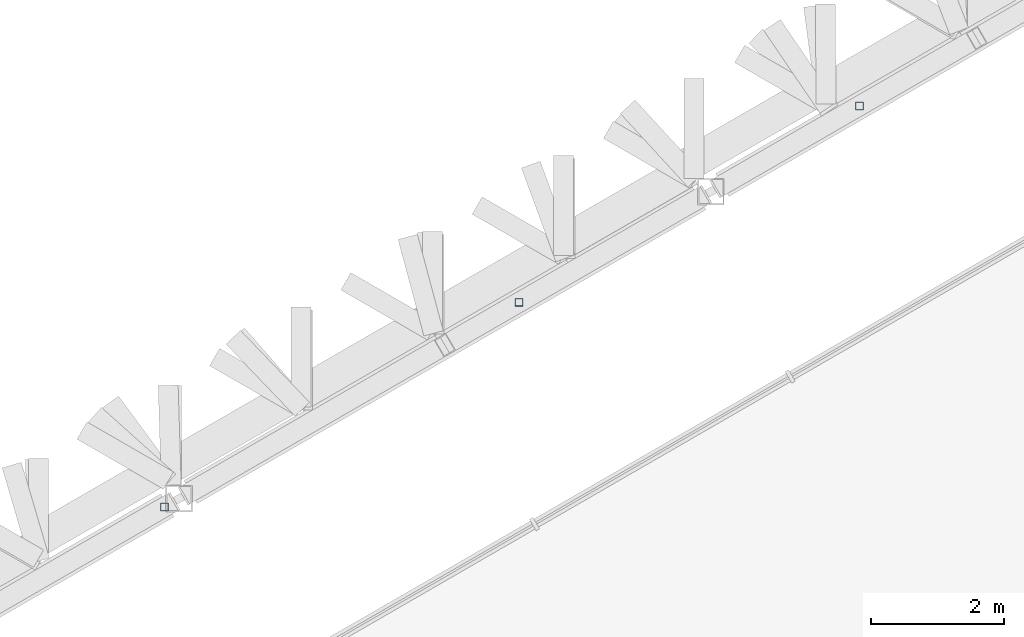
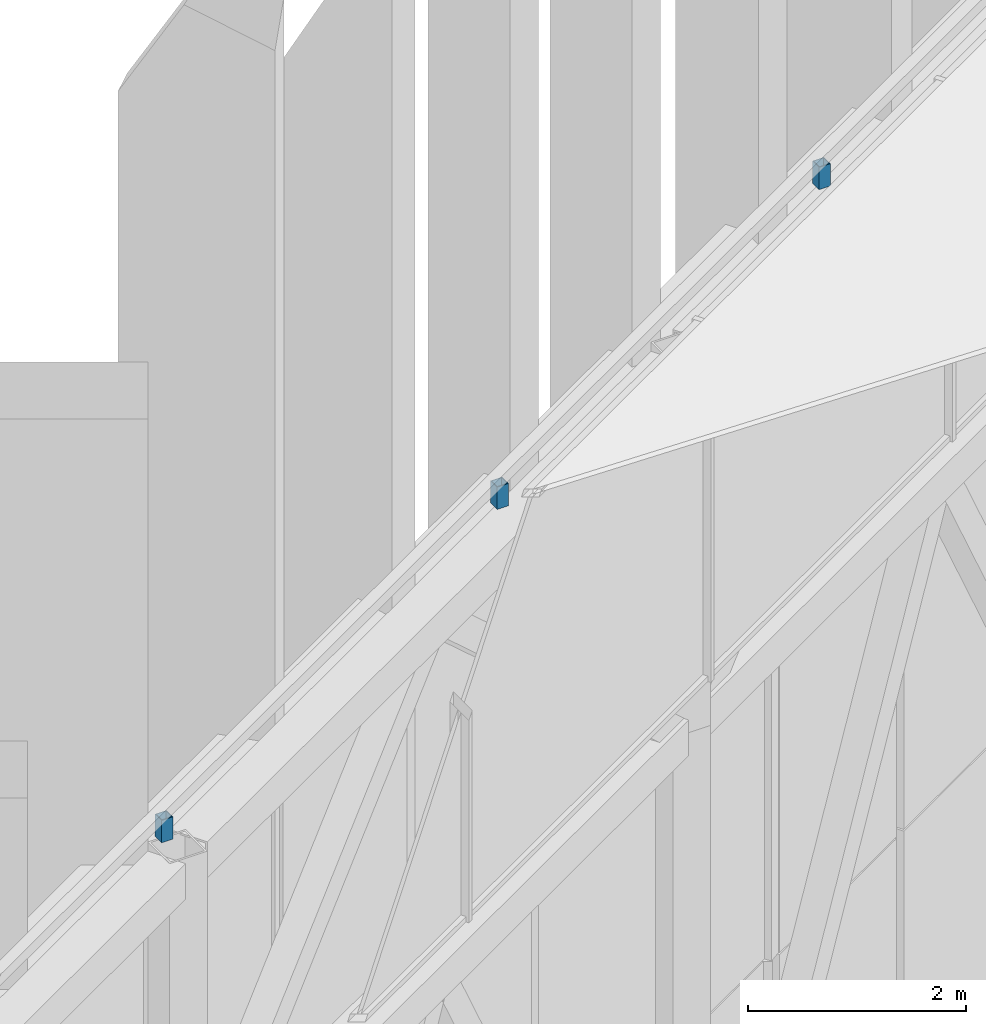
# One storey, part 23 of 45: 3 members.
"""IFC4 building model written with IfcOpenShell, lengths in metres."""

import ifcopenshell
import ifcopenshell.guid

model = None  # the IFC model being written
_history = None  # IfcOwnerHistory: only IFC2X3 demands one
_inside = {}  # id of a spatial element -> (the spatial element, [elements in it])
_under = {}  # id of a project, library or spatial element -> (it, [spatial elements below it])
_declared = {}  # id of a project -> (the project, [libraries it declares])
_typed = {}  # id of a type object -> (the type object, [elements of that type])
_made_of = {}  # id of a material, layer set ... -> (it, [elements and type objects made of it])


def new_model(schema):
    """Start an empty IFC model of exactly this schema.

    Asked for "IFC4X3", IfcOpenShell would pick the latest addendum, in which some entities
    have other attributes; the version numbers below select the first issue.
    IFC2X3 requires an IfcOwnerHistory on every rooted entity: one is made here for all.
    """
    global model, _history
    if schema == "IFC4X3":
        model = ifcopenshell.file(schema_version=(4, 3, 0, 0))
    else:
        model = ifcopenshell.file(schema=schema)
    _inside.clear()
    _under.clear()
    _declared.clear()
    _typed.clear()
    _made_of.clear()
    _history = None
    if model.schema == "IFC2X3":
        org = make("IfcOrganization", Name="unknown")
        user = make(
            "IfcPersonAndOrganization",
            ThePerson=make("IfcPerson", FamilyName="unknown"),
            TheOrganization=org,
        )
        app = make(
            "IfcApplication",
            ApplicationDeveloper=org,
            Version="unknown",
            ApplicationFullName="unknown",
            ApplicationIdentifier="unknown",
        )
        _history = make(
            "IfcOwnerHistory",
            OwningUser=user,
            OwningApplication=app,
            ChangeAction="ADDED",
            CreationDate=0,
        )
    return model


def make(cls, **values):
    """One entity of the class cls with the attributes given. An attribute that is None is left unset."""
    return model.create_entity(
        cls, **{name: value for name, value in values.items() if value is not None}
    )


def rooted(cls, **values):
    """An entity with a GlobalId (a new one), such as an element, a storey or a relation."""
    return make(cls, GlobalId=ifcopenshell.guid.new(), OwnerHistory=_history, **values)


def si_unit(unit_type, name, prefix=None):
    """IfcSIUnit, for example si_unit("LENGTHUNIT", "METRE", prefix="MILLI")."""
    return make("IfcSIUnit", UnitType=unit_type, Prefix=prefix, Name=name)


def assignment(units):
    """IfcUnitAssignment: the units of a project."""
    return None if units is None else make("IfcUnitAssignment", Units=units)


def point(xyz):
    """IfcCartesianPoint."""
    return None if xyz is None else make("IfcCartesianPoint", Coordinates=xyz)


def direction(xyz):
    """IfcDirection."""
    return None if xyz is None else make("IfcDirection", DirectionRatios=xyz)


def frame(location, z_axis=None, x_axis=None):
    """IfcAxis2Placement3D, a coordinate frame: its origin and axes. An axis left out is left unset."""
    return make(
        "IfcAxis2Placement3D",
        Location=point(location),
        Axis=direction(z_axis),
        RefDirection=direction(x_axis),
    )


def frame_2d(location, x_axis=None):
    """IfcAxis2Placement2D, a coordinate frame in the plane: its origin and x axis."""
    return make(
        "IfcAxis2Placement2D", Location=point(location), RefDirection=direction(x_axis)
    )


def origin():
    """The frame at (0, 0, 0) with its axes left unset."""
    return frame((0.0, 0.0, 0.0))


def origin_2d():
    """The frame at (0, 0) in the plane with its x axis left unset."""
    return frame_2d((0.0, 0.0))


def place(relative_to, where):
    """IfcLocalPlacement: puts the frame where relative to a parent placement (None: the world)."""
    return make(
        "IfcLocalPlacement", PlacementRelTo=relative_to, RelativePlacement=where
    )


def context(
    kind, dimensions, precision=None, world=None, true_north=None, identifier=None
):
    """IfcGeometricRepresentationContext, for example the 3D "Model" context."""
    return make(
        "IfcGeometricRepresentationContext",
        ContextIdentifier=identifier,
        ContextType=kind,
        CoordinateSpaceDimension=dimensions,
        Precision=precision,
        WorldCoordinateSystem=world,
        TrueNorth=true_north,
    )


def subcontext(parent, identifier, kind, view, scale=None):
    """IfcGeometricRepresentationSubContext, for example "Body" below "Model"."""
    return make(
        "IfcGeometricRepresentationSubContext",
        ContextIdentifier=identifier,
        ContextType=kind,
        ParentContext=parent,
        TargetScale=scale,
        TargetView=view,
    )


def project(units=None, contexts=None):
    """IfcProject with its units and contexts."""
    return rooted(
        "IfcProject",
        Name="project",
        RepresentationContexts=contexts,
        UnitsInContext=assignment(units),
    )


def spatial(cls, under=None, at=None, **own):
    """A site, building, storey or space (cls), placed at a placement, below another one or the project."""
    s = rooted(cls, ObjectPlacement=at, **own)
    if under is not None:
        _under.setdefault(under.id(), (under, []))[1].append(s)
    return s


def profile(cls, at=None, kind="AREA", **sizes):
    """A parametric profile (cls). Its sizes go by their IFC names, for example OverallWidth=200.0."""
    return make(cls, ProfileType=kind, Position=at, **sizes)


def hollow_rectangle(**sizes):
    """IfcRectangleHollowProfileDef."""
    return profile("IfcRectangleHollowProfileDef", **sizes)


def extrude(swept, where, along, depth):
    """IfcExtrudedAreaSolid: the profile swept, set in the frame where, extruded along a direction by depth."""
    return make(
        "IfcExtrudedAreaSolid",
        SweptArea=swept,
        Position=where,
        ExtrudedDirection=direction(along),
        Depth=depth,
    )


def shape(context_of_items, identifier, shape_type, items):
    """IfcShapeRepresentation: the items that make up one representation, for example the "Body"."""
    return make(
        "IfcShapeRepresentation",
        ContextOfItems=context_of_items,
        RepresentationIdentifier=identifier,
        RepresentationType=shape_type,
        Items=items,
    )


def material(Name=None, Category=None):
    """IfcMaterial."""
    return make("IfcMaterial", Name=Name, Category=Category)


def material_profile(
    of_material, cross_section, Name=None, Category=None, Priority=None
):
    """IfcMaterialProfile: a cross section and its material."""
    return make(
        "IfcMaterialProfile",
        Name=Name,
        Material=of_material,
        Profile=cross_section,
        Priority=Priority,
        Category=Category,
    )


def profile_set(profiles, Name=None, composite=None):
    """IfcMaterialProfileSet."""
    return make(
        "IfcMaterialProfileSet",
        Name=Name,
        MaterialProfiles=profiles,
        CompositeProfile=composite,
    )


def made_of(thing, what):
    """Note that an element or type object is made of a material, layer set ...; save() writes the relation."""
    if what is not None:
        _made_of.setdefault(what.id(), (what, []))[1].append(thing)
    return thing


def type_object(cls, material=None, **own):
    """A type object (cls), such as IfcWallType, which elements share."""
    return made_of(rooted(cls, **own), material)


def element(
    cls,
    number,
    at=None,
    inside=None,
    cuts=None,
    type_object=None,
    material=None,
    context=None,
    identifier="Body",
    shape_type=None,
    held_by="IfcProductDefinitionShape",
    body=None,
    shapes=None,
    **own,
):
    """One element of the class cls, such as IfcWall. Its Tag is "e" and its number.

    at: its placement. inside: the storey or other place that contains it. cuts: it is an
    opening in that element (IfcRelVoidsElement). A single representation is given by context,
    identifier, shape_type and body (its items); several are given by shapes. held_by: the class
    of the entity that holds the representations. save() writes the other relations.
    """
    e = rooted(cls, Tag="e%d" % number, ObjectPlacement=at, **own)
    if body is not None:
        shapes = [shape(context, identifier, shape_type, body)]
    if shapes is not None:
        e.Representation = make(held_by, Representations=shapes)
    if inside is not None:
        _inside.setdefault(inside.id(), (inside, []))[1].append(e)
    if cuts is not None:
        rooted(
            "IfcRelVoidsElement", RelatingBuildingElement=cuts, RelatedOpeningElement=e
        )
    if type_object is not None:
        _typed.setdefault(type_object.id(), (type_object, []))[1].append(e)
    return made_of(e, material)


def aggregate(whole, parts):
    """IfcRelAggregates: a whole, such as a stair, and the parts it consists of."""
    return rooted("IfcRelAggregates", RelatingObject=whole, RelatedObjects=parts)


def save(model, path):
    """Write the relations noted so far, then the file.

    IfcRelAggregates (storeys below a building ...), IfcRelContainedInSpatialStructure (elements
    in a storey), IfcRelDefinesByType, IfcRelAssociatesMaterial and IfcRelDeclares: one each for
    every whole, place, type object, material and project.
    """
    for whole, parts in _under.values():
        aggregate(whole, parts)
    for where, things in _inside.values():
        rooted(
            "IfcRelContainedInSpatialStructure",
            RelatedElements=things,
            RelatingStructure=where,
        )
    for kind, things in _typed.values():
        rooted("IfcRelDefinesByType", RelatedObjects=things, RelatingType=kind)
    for what, things in _made_of.values():
        rooted("IfcRelAssociatesMaterial", RelatedObjects=things, RelatingMaterial=what)
    for by, libraries in _declared.values():
        rooted("IfcRelDeclares", RelatingContext=by, RelatedDefinitions=libraries)
    model.write(path)


model = new_model("IFC4")

# Units and contexts
model_context = context("Model", 3, precision=1e-05, world=origin(), true_north=direction((0.0, 1.0)))
body_context = subcontext(model_context, "Body", "Model", "MODEL_VIEW")
ifc_project = project(units=[si_unit("LENGTHUNIT", "METRE"), si_unit("AREAUNIT", "SQUARE_METRE"), si_unit("VOLUMEUNIT", "CUBIC_METRE"), si_unit("PLANEANGLEUNIT", "RADIAN"), si_unit("MASSUNIT", "GRAM", prefix="KILO")], contexts=[model_context])

# Site, building, storey
site_placement = place(None, origin())
site = spatial("IfcSite", under=ifc_project, at=site_placement, CompositionType="ELEMENT")
building_placement = place(site_placement, origin())
building = spatial("IfcBuilding", under=site, at=building_placement, Name="Jabali Bay Hotel Tower and Convention Centre", CompositionType="ELEMENT")
storey_placement = place(building_placement, frame((0.0, 0.0, 322.39990234375)))
storey = spatial("IfcBuildingStorey", under=building, at=storey_placement, Name="Crown", CompositionType="ELEMENT", Elevation=322.39990234375)

# Members
ifc_material = material(Name="Steel Q355B", Category="steel")
ifc_material_profile = material_profile(ifc_material, hollow_rectangle(XDim=0.1201171875, YDim=0.1201171875, WallThickness=0.008056640625, at=origin_2d()), Name="BMU rail post")
ifc_profile_set = profile_set([ifc_material_profile], Name="Steel Q355B")
member_type = type_object("IfcMemberType", Name="BMU rail post", PredefinedType="USERDEFINED", material=ifc_profile_set)
for number, where, z_axis, x_axis, name in (
    (1, (76.1455078125, 101.61767578125, 28.35009765625), (0.0, 0.0, 1.0), (1.0, 0.0, 0.0), "BMU rail post 3.3"),
    (2, (71.03564453125, 98.66748046875, 28.35009765625), (0.0, 0.0, 1.0), (1.0, 0.0, 0.0), "BMU rail post 3.4"),
    (3, (65.709228515625, 95.59228515625, 28.35009765625), (0.0, 0.0, 1.0), (1.0, 0.0, 0.0), "BMU rail post 3.5"),
):
    element("IfcMember", number, at=place(storey_placement, frame(where, z_axis=z_axis, x_axis=x_axis)), inside=storey, type_object=member_type, Name=name, ObjectType="BMU RAIL", PredefinedType="USERDEFINED", context=body_context, shape_type="SweptSolid", body=[
        extrude(hollow_rectangle(XDim=0.1201171875, YDim=0.1201171875, WallThickness=0.008056640625, at=origin_2d()), origin(), (0.0, 0.0, 1.0), 0.25),
    ])

save(model, "model.ifc")
